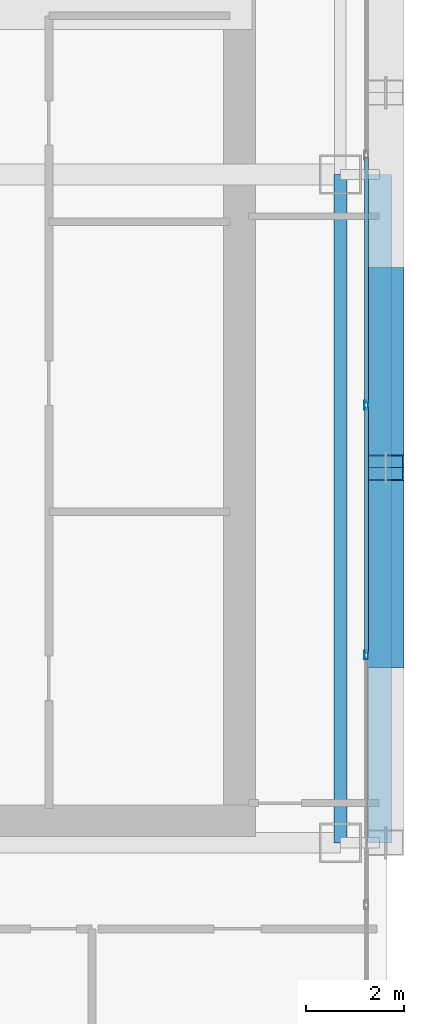
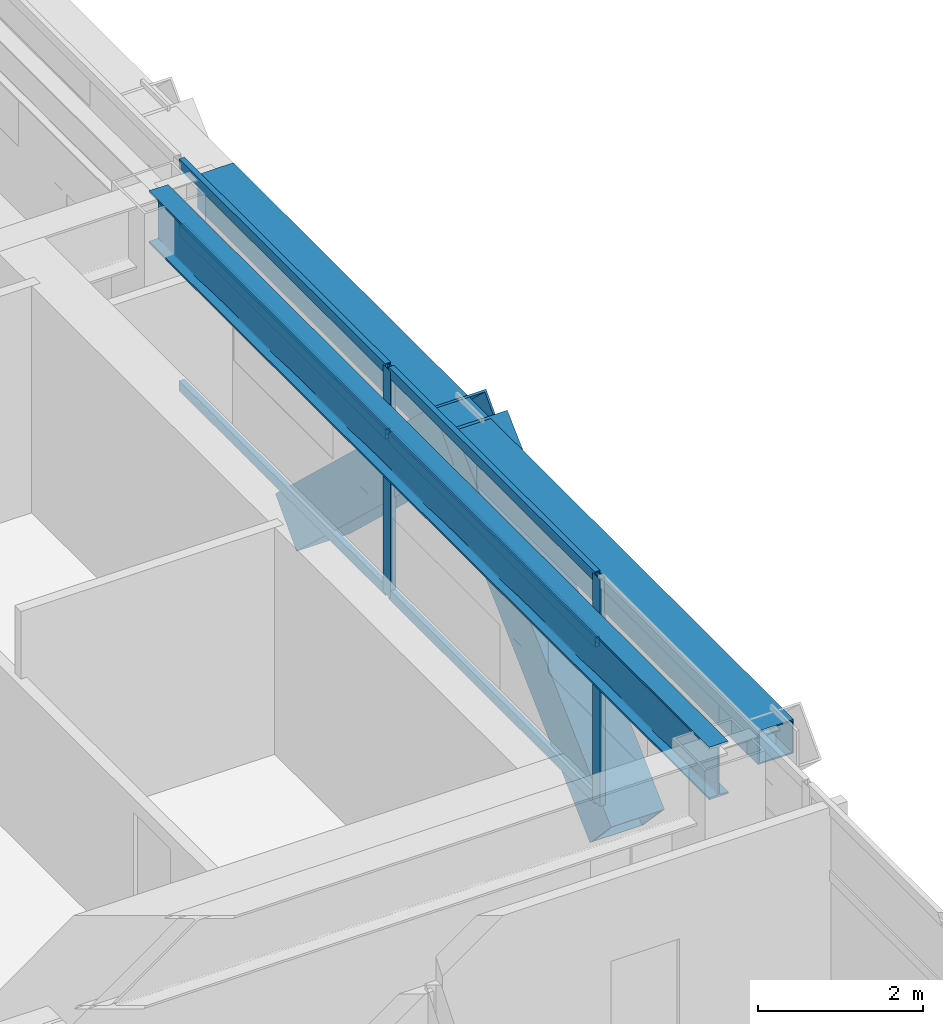
# One storey, part 13 of 36: 10 members, 2 beams, 1 element without a shape of its own.
"""IFC4 building model written with IfcOpenShell, lengths in metres."""

import ifcopenshell
import ifcopenshell.guid

model = None  # the IFC model being written
_history = None  # IfcOwnerHistory: only IFC2X3 demands one
_inside = {}  # id of a spatial element -> (the spatial element, [elements in it])
_under = {}  # id of a project, library or spatial element -> (it, [spatial elements below it])
_declared = {}  # id of a project -> (the project, [libraries it declares])
_typed = {}  # id of a type object -> (the type object, [elements of that type])
_made_of = {}  # id of a material, layer set ... -> (it, [elements and type objects made of it])


def new_model(schema):
    """Start an empty IFC model of exactly this schema.

    Asked for "IFC4X3", IfcOpenShell would pick the latest addendum, in which some entities
    have other attributes; the version numbers below select the first issue.
    IFC2X3 requires an IfcOwnerHistory on every rooted entity: one is made here for all.
    """
    global model, _history
    if schema == "IFC4X3":
        model = ifcopenshell.file(schema_version=(4, 3, 0, 0))
    else:
        model = ifcopenshell.file(schema=schema)
    _inside.clear()
    _under.clear()
    _declared.clear()
    _typed.clear()
    _made_of.clear()
    _history = None
    if model.schema == "IFC2X3":
        org = make("IfcOrganization", Name="unknown")
        user = make(
            "IfcPersonAndOrganization",
            ThePerson=make("IfcPerson", FamilyName="unknown"),
            TheOrganization=org,
        )
        app = make(
            "IfcApplication",
            ApplicationDeveloper=org,
            Version="unknown",
            ApplicationFullName="unknown",
            ApplicationIdentifier="unknown",
        )
        _history = make(
            "IfcOwnerHistory",
            OwningUser=user,
            OwningApplication=app,
            ChangeAction="ADDED",
            CreationDate=0,
        )
    return model


def make(cls, **values):
    """One entity of the class cls with the attributes given. An attribute that is None is left unset."""
    return model.create_entity(
        cls, **{name: value for name, value in values.items() if value is not None}
    )


def rooted(cls, **values):
    """An entity with a GlobalId (a new one), such as an element, a storey or a relation."""
    return make(cls, GlobalId=ifcopenshell.guid.new(), OwnerHistory=_history, **values)


def si_unit(unit_type, name, prefix=None):
    """IfcSIUnit, for example si_unit("LENGTHUNIT", "METRE", prefix="MILLI")."""
    return make("IfcSIUnit", UnitType=unit_type, Prefix=prefix, Name=name)


def assignment(units):
    """IfcUnitAssignment: the units of a project."""
    return None if units is None else make("IfcUnitAssignment", Units=units)


def point(xyz):
    """IfcCartesianPoint."""
    return None if xyz is None else make("IfcCartesianPoint", Coordinates=xyz)


def direction(xyz):
    """IfcDirection."""
    return None if xyz is None else make("IfcDirection", DirectionRatios=xyz)


def frame(location, z_axis=None, x_axis=None):
    """IfcAxis2Placement3D, a coordinate frame: its origin and axes. An axis left out is left unset."""
    return make(
        "IfcAxis2Placement3D",
        Location=point(location),
        Axis=direction(z_axis),
        RefDirection=direction(x_axis),
    )


def frame_2d(location, x_axis=None):
    """IfcAxis2Placement2D, a coordinate frame in the plane: its origin and x axis."""
    return make(
        "IfcAxis2Placement2D", Location=point(location), RefDirection=direction(x_axis)
    )


def origin():
    """The frame at (0, 0, 0) with its axes left unset."""
    return frame((0.0, 0.0, 0.0))


def origin_2d():
    """The frame at (0, 0) in the plane with its x axis left unset."""
    return frame_2d((0.0, 0.0))


def place(relative_to, where):
    """IfcLocalPlacement: puts the frame where relative to a parent placement (None: the world)."""
    return make(
        "IfcLocalPlacement", PlacementRelTo=relative_to, RelativePlacement=where
    )


def context(
    kind, dimensions, precision=None, world=None, true_north=None, identifier=None
):
    """IfcGeometricRepresentationContext, for example the 3D "Model" context."""
    return make(
        "IfcGeometricRepresentationContext",
        ContextIdentifier=identifier,
        ContextType=kind,
        CoordinateSpaceDimension=dimensions,
        Precision=precision,
        WorldCoordinateSystem=world,
        TrueNorth=true_north,
    )


def subcontext(parent, identifier, kind, view, scale=None):
    """IfcGeometricRepresentationSubContext, for example "Body" below "Model"."""
    return make(
        "IfcGeometricRepresentationSubContext",
        ContextIdentifier=identifier,
        ContextType=kind,
        ParentContext=parent,
        TargetScale=scale,
        TargetView=view,
    )


def project(units=None, contexts=None):
    """IfcProject with its units and contexts."""
    return rooted(
        "IfcProject",
        Name="project",
        RepresentationContexts=contexts,
        UnitsInContext=assignment(units),
    )


def spatial(cls, under=None, at=None, **own):
    """A site, building, storey or space (cls), placed at a placement, below another one or the project."""
    s = rooted(cls, ObjectPlacement=at, **own)
    if under is not None:
        _under.setdefault(under.id(), (under, []))[1].append(s)
    return s


def profile(cls, at=None, kind="AREA", **sizes):
    """A parametric profile (cls). Its sizes go by their IFC names, for example OverallWidth=200.0."""
    return make(cls, ProfileType=kind, Position=at, **sizes)


def hollow_rectangle(**sizes):
    """IfcRectangleHollowProfileDef."""
    return profile("IfcRectangleHollowProfileDef", **sizes)


def i_section(**sizes):
    """IfcIShapeProfileDef."""
    return profile("IfcIShapeProfileDef", **sizes)


def extrude(swept, where, along, depth):
    """IfcExtrudedAreaSolid: the profile swept, set in the frame where, extruded along a direction by depth."""
    return make(
        "IfcExtrudedAreaSolid",
        SweptArea=swept,
        Position=where,
        ExtrudedDirection=direction(along),
        Depth=depth,
    )


def shape(context_of_items, identifier, shape_type, items):
    """IfcShapeRepresentation: the items that make up one representation, for example the "Body"."""
    return make(
        "IfcShapeRepresentation",
        ContextOfItems=context_of_items,
        RepresentationIdentifier=identifier,
        RepresentationType=shape_type,
        Items=items,
    )


def source(mapping_origin, context_of_items, identifier, shape_type, items):
    """IfcRepresentationMap: a shape defined once, which mapped items show again and again."""
    return make(
        "IfcRepresentationMap",
        MappingOrigin=mapping_origin,
        MappedRepresentation=shape(context_of_items, identifier, shape_type, items),
    )


def transform(
    local_origin,
    x_axis=None,
    y_axis=None,
    z_axis=None,
    scale=None,
    scale2=None,
    scale3=None,
    uniform=True,
):
    """IfcCartesianTransformationOperator3D, or its non-uniform kind. x_axis, y_axis, z_axis: its Axis1, 2, 3."""
    if uniform:
        return make(
            "IfcCartesianTransformationOperator3D",
            Axis1=direction(x_axis),
            Axis2=direction(y_axis),
            LocalOrigin=point(local_origin),
            Scale=scale,
            Axis3=direction(z_axis),
        )
    return make(
        "IfcCartesianTransformationOperator3DnonUniform",
        Axis1=direction(x_axis),
        Axis2=direction(y_axis),
        LocalOrigin=point(local_origin),
        Scale=scale,
        Axis3=direction(z_axis),
        Scale2=scale2,
        Scale3=scale3,
    )


def mapped(mapping_source, mapping_target):
    """IfcMappedItem: shows the shape of a source again, moved by a transform."""
    return make(
        "IfcMappedItem", MappingSource=mapping_source, MappingTarget=mapping_target
    )


def material(Name=None, Category=None):
    """IfcMaterial."""
    return make("IfcMaterial", Name=Name, Category=Category)


def layer(
    of_material, thickness, ventilated=None, Name=None, Category=None, Priority=None
):
    """IfcMaterialLayer: one layer of a wall or slab, of a material (None: an air gap)."""
    return make(
        "IfcMaterialLayer",
        Material=of_material,
        LayerThickness=thickness,
        IsVentilated=ventilated,
        Name=Name,
        Category=Category,
        Priority=Priority,
    )


def layer_set(layers, Name=None):
    """IfcMaterialLayerSet."""
    return make("IfcMaterialLayerSet", MaterialLayers=layers, LayerSetName=Name)


def material_profile(
    of_material, cross_section, Name=None, Category=None, Priority=None
):
    """IfcMaterialProfile: a cross section and its material."""
    return make(
        "IfcMaterialProfile",
        Name=Name,
        Material=of_material,
        Profile=cross_section,
        Priority=Priority,
        Category=Category,
    )


def profile_set(profiles, Name=None, composite=None):
    """IfcMaterialProfileSet."""
    return make(
        "IfcMaterialProfileSet",
        Name=Name,
        MaterialProfiles=profiles,
        CompositeProfile=composite,
    )


def made_of(thing, what):
    """Note that an element or type object is made of a material, layer set ...; save() writes the relation."""
    if what is not None:
        _made_of.setdefault(what.id(), (what, []))[1].append(thing)
    return thing


def type_object(cls, material=None, **own):
    """A type object (cls), such as IfcWallType, which elements share."""
    return made_of(rooted(cls, **own), material)


def element(
    cls,
    number,
    at=None,
    inside=None,
    cuts=None,
    type_object=None,
    material=None,
    context=None,
    identifier="Body",
    shape_type=None,
    held_by="IfcProductDefinitionShape",
    body=None,
    shapes=None,
    **own,
):
    """One element of the class cls, such as IfcWall. Its Tag is "e" and its number.

    at: its placement. inside: the storey or other place that contains it. cuts: it is an
    opening in that element (IfcRelVoidsElement). A single representation is given by context,
    identifier, shape_type and body (its items); several are given by shapes. held_by: the class
    of the entity that holds the representations. save() writes the other relations.
    """
    e = rooted(cls, Tag="e%d" % number, ObjectPlacement=at, **own)
    if body is not None:
        shapes = [shape(context, identifier, shape_type, body)]
    if shapes is not None:
        e.Representation = make(held_by, Representations=shapes)
    if inside is not None:
        _inside.setdefault(inside.id(), (inside, []))[1].append(e)
    if cuts is not None:
        rooted(
            "IfcRelVoidsElement", RelatingBuildingElement=cuts, RelatedOpeningElement=e
        )
    if type_object is not None:
        _typed.setdefault(type_object.id(), (type_object, []))[1].append(e)
    return made_of(e, material)


def aggregate(whole, parts):
    """IfcRelAggregates: a whole, such as a stair, and the parts it consists of."""
    return rooted("IfcRelAggregates", RelatingObject=whole, RelatedObjects=parts)


def save(model, path):
    """Write the relations noted so far, then the file.

    IfcRelAggregates (storeys below a building ...), IfcRelContainedInSpatialStructure (elements
    in a storey), IfcRelDefinesByType, IfcRelAssociatesMaterial and IfcRelDeclares: one each for
    every whole, place, type object, material and project.
    """
    for whole, parts in _under.values():
        aggregate(whole, parts)
    for where, things in _inside.values():
        rooted(
            "IfcRelContainedInSpatialStructure",
            RelatedElements=things,
            RelatingStructure=where,
        )
    for kind, things in _typed.values():
        rooted("IfcRelDefinesByType", RelatedObjects=things, RelatingType=kind)
    for what, things in _made_of.values():
        rooted("IfcRelAssociatesMaterial", RelatedObjects=things, RelatingMaterial=what)
    for by, libraries in _declared.values():
        rooted("IfcRelDeclares", RelatingContext=by, RelatedDefinitions=libraries)
    model.write(path)


model = new_model("IFC4")

# Units and contexts
model_context = context("Model", 3, precision=1e-05, world=origin(), true_north=direction((0.0, 1.0)))
body_context = subcontext(model_context, "Body", "Model", "MODEL_VIEW")
ifc_project = project(units=[si_unit("LENGTHUNIT", "METRE"), si_unit("AREAUNIT", "SQUARE_METRE"), si_unit("VOLUMEUNIT", "CUBIC_METRE"), si_unit("PLANEANGLEUNIT", "RADIAN"), si_unit("MASSUNIT", "GRAM", prefix="KILO")], contexts=[model_context])

# Site, building, storey
site_placement = place(None, origin())
site = spatial("IfcSite", under=ifc_project, at=site_placement, CompositionType="ELEMENT")
building_placement = place(site_placement, origin())
building = spatial("IfcBuilding", under=site, at=building_placement, Name="Ocotamira Hotel", CompositionType="ELEMENT")
storey_placement = place(building_placement, frame((0.0, 0.0, 136.800048828125)))
storey = spatial("IfcBuildingStorey", under=building, at=storey_placement, Name="L34", CompositionType="ELEMENT", Elevation=136.800048828125)

# Beams
ifc_material_1 = material(Name="Steel ASTM A992 Grade 50", Category="steel")
ifc_material_profile_1 = material_profile(ifc_material_1, i_section(OverallWidth=0.26611328125, OverallDepth=0.779052734375, WebThickness=0.0166015625, FlangeThickness=0.030029296875, FilletRadius=0.01806640625, at=origin_2d()), Name="W30X148")
ifc_profile_set_1 = profile_set([ifc_material_profile_1], Name="Steel ASTM A992 Grade 50")
beam_type_1 = type_object("IfcBeamType", Name="BM-GIRD-W30X148", PredefinedType="BEAM", material=ifc_profile_set_1)
shared_shape_1 = source(origin(), body_context, "Body", "SweptSolid", [
    extrude(i_section(OverallWidth=0.26611328125, OverallDepth=0.779052734375, WebThickness=0.0166015625, FlangeThickness=0.030029296875, FilletRadius=0.01806640625, at=origin_2d()), origin(), (0.0, 0.0, 1.0), 13.599853515625),
])
beam_1_placement = place(storey_placement, frame((55.050048828125, 14.550048828125, 2.970458984375), z_axis=(0.0, 1.0, 0.0), x_axis=(-1.0, 0.0, 0.0)))
element("IfcBeam", 1, at=beam_1_placement, inside=storey, type_object=beam_type_1, Name="L34 Beam X55.05 Y14.55-28.15", PredefinedType="BEAM", context=body_context, shape_type="MappedRepresentation", body=[
    mapped(shared_shape_1, transform((0.0, 0.0, 0.0), scale=1.0)),
])
ifc_material_2 = material(Name="Steel ASTM A500 Grade C", Category="steel")
ifc_material_profile_2 = material_profile(ifc_material_2, hollow_rectangle(XDim=0.5, YDim=0.5, WallThickness=0.02001953125, at=origin_2d()), Name="HSS500X500X20")
ifc_profile_set_2 = profile_set([ifc_material_profile_2], Name="Steel ASTM A500 Grade C")
beam_type_2 = type_object("IfcBeamType", Name="BM-SPAN-HSS500", PredefinedType="USERDEFINED", material=ifc_profile_set_2)
shared_shape_2 = source(origin(), body_context, "Body", "SweptSolid", [
    extrude(hollow_rectangle(XDim=0.5, YDim=0.5, WallThickness=0.02001953125, at=origin_2d()), origin(), (0.0, 0.0, 1.0), 13.599853515625),
])
beam_2_placement = place(storey_placement, frame((55.85009765625, 14.550048828125, 3.10986328125), z_axis=(0.0, 1.0, 0.0), x_axis=(-1.0, 0.0, 0.0)))
element("IfcBeam", 2, at=beam_2_placement, inside=storey, type_object=beam_type_2, Name="L34 Edge Spandrel E Y14.55-28.15", ObjectType="SPANDREL", PredefinedType="USERDEFINED", context=body_context, shape_type="MappedRepresentation", body=[
    mapped(shared_shape_2, transform((0.0, 0.0, 0.0), scale=1.0)),
])

# Members
ifc_material_3 = material(Name="Pale-metal coated steel ASTM A913 Grade 65", Category="steel")
ifc_material_profile_3 = material_profile(ifc_material_3, hollow_rectangle(XDim=0.75, YDim=0.75, WallThickness=0.028076171875, at=origin_2d()), Name="BOX750X750X28")
ifc_profile_set_3 = profile_set([ifc_material_profile_3], Name="Pale-metal coated steel ASTM A913 Grade 65")
member_type_1 = type_object("IfcMemberType", Name="MEM-EXO-BOX750", PredefinedType="BRACE", material=ifc_profile_set_3)
shared_shape_3 = source(origin(), body_context, "Body", "SweptSolid", [
    extrude(hollow_rectangle(XDim=0.75, YDim=0.75, WallThickness=0.028076171875, at=origin_2d()), origin(), (0.0, 0.0, 1.0), 5.24658203125),
])
for number, where, z_axis, x_axis, name in (
    (3, (55.969970703125, 18.36669921875, -0.489990234375), (0.0, 0.72746596067, 0.686143772154), (-1.0, 0.0, 0.0), "L34 Exoskeleton Diagrid E0.2"),
    (4, (55.969970703125, 26.0, -0.489990234375), (0.0, -0.72746596067, 0.686143772154), (1.0, 0.0, 0.0), "L34 Exoskeleton Diagrid E1.1"),
):
    element("IfcMember", number, at=place(storey_placement, frame(where, z_axis=z_axis, x_axis=x_axis)), inside=storey, type_object=member_type_1, Name=name, PredefinedType="BRACE", context=body_context, shape_type="MappedRepresentation", body=[
        mapped(shared_shape_3, transform((0.0, 0.0, 0.0), scale=1.0)),
    ])

# Curtain wall, members
ifc_material_4 = material(Name="Anodised pale-metal aluminium and solar glass", Category="aluminium")
ifc_layer = layer(ifc_material_4, 0.179931640625)
ifc_layer_set = layer_set([ifc_layer], Name="Anodised pale-metal aluminium and solar glass")
curtain_wall_type = type_object("IfcCurtainWallType", Name="CW-SYS3-Z2", PredefinedType="NOTDEFINED", material=ifc_layer_set)
curtain_wall_placement = place(storey_placement, origin())
curtain_wall = element("IfcCurtainWall", 5, at=curtain_wall_placement, inside=storey, type_object=curtain_wall_type, Name="L34 Curtain Wall CW-3 CW-L34-E", PredefinedType="NOTDEFINED")
ifc_material_5 = material(Name="Anodised pale-metal aluminium 6063-T6", Category="aluminium")
ifc_material_profile_4 = material_profile(ifc_material_5, hollow_rectangle(XDim=0.074951171875, YDim=0.14990234375, WallThickness=0.006103515625, at=origin_2d()), Name="HSS150X75X6")
ifc_profile_set_4 = profile_set([ifc_material_profile_4], Name="Anodised pale-metal aluminium 6063-T6")
member_type_2 = type_object("IfcMemberType", Name="CWT-150X75", PredefinedType="USERDEFINED", material=ifc_profile_set_4)
shared_shape_4 = source(origin(), body_context, "Body", "SweptSolid", [
    extrude(hollow_rectangle(XDim=0.074951171875, YDim=0.14990234375, WallThickness=0.006103515625, at=origin_2d()), origin(), (0.0, 0.0, 1.0), 5.005859375),
])
member_1_placement = place(storey_placement, frame((55.580078125, 18.411376953125, 0.037353515625), z_axis=(0.0, 1.0, 0.0), x_axis=(-1.0, 0.0, 0.0)))
member_1 = element("IfcMember", 6, at=member_1_placement, type_object=member_type_2, Name="CW-3 transom 3.1", ObjectType="TRANSOM", PredefinedType="USERDEFINED", context=body_context, shape_type="MappedRepresentation", body=[
    mapped(shared_shape_4, transform((0.0, 0.0, 0.0), scale=1.0)),
])
member_2_placement = place(storey_placement, frame((55.580078125, 18.411376953125, 2.349853515625), z_axis=(0.0, 1.0, 0.0), x_axis=(-1.0, 0.0, 0.0)))
member_2 = element("IfcMember", 7, at=member_2_placement, type_object=member_type_2, Name="CW-3 transom 3.2", ObjectType="TRANSOM", PredefinedType="USERDEFINED", context=body_context, shape_type="MappedRepresentation", body=[
    mapped(shared_shape_4, transform((0.0, 0.0, 0.0), scale=1.0)),
])
member_3_placement = place(storey_placement, frame((55.580078125, 18.411376953125, 3.322509765625), z_axis=(0.0, 1.0, 0.0), x_axis=(-1.0, 0.0, 0.0)))
member_3 = element("IfcMember", 8, at=member_3_placement, type_object=member_type_2, Name="CW-3 transom 3.3", ObjectType="TRANSOM", PredefinedType="USERDEFINED", context=body_context, shape_type="MappedRepresentation", body=[
    mapped(shared_shape_4, transform((0.0, 0.0, 0.0), scale=1.0)),
])
member_4_placement = place(storey_placement, frame((55.580078125, 23.4970703125, 0.037353515625), z_axis=(0.0, 1.0, 0.0), x_axis=(-1.0, 0.0, 0.0)))
member_4 = element("IfcMember", 9, at=member_4_placement, type_object=member_type_2, Name="CW-3 transom 4.1", ObjectType="TRANSOM", PredefinedType="USERDEFINED", context=body_context, shape_type="MappedRepresentation", body=[
    mapped(shared_shape_4, transform((0.0, 0.0, 0.0), scale=1.0)),
])
member_5_placement = place(storey_placement, frame((55.580078125, 23.4970703125, 2.349853515625), z_axis=(0.0, 1.0, 0.0), x_axis=(-1.0, 0.0, 0.0)))
member_5 = element("IfcMember", 10, at=member_5_placement, type_object=member_type_2, Name="CW-3 transom 4.2", ObjectType="TRANSOM", PredefinedType="USERDEFINED", context=body_context, shape_type="MappedRepresentation", body=[
    mapped(shared_shape_4, transform((0.0, 0.0, 0.0), scale=1.0)),
])
member_6_placement = place(storey_placement, frame((55.580078125, 23.4970703125, 3.322509765625), z_axis=(0.0, 1.0, 0.0), x_axis=(-1.0, 0.0, 0.0)))
member_6 = element("IfcMember", 11, at=member_6_placement, type_object=member_type_2, Name="CW-3 transom 4.3", ObjectType="TRANSOM", PredefinedType="USERDEFINED", context=body_context, shape_type="MappedRepresentation", body=[
    mapped(shared_shape_4, transform((0.0, 0.0, 0.0), scale=1.0)),
])
ifc_material_profile_5 = material_profile(ifc_material_5, hollow_rectangle(XDim=0.080078125, YDim=0.179931640625, WallThickness=0.006103515625, at=origin_2d()), Name="HSS180X80X6")
ifc_profile_set_5 = profile_set([ifc_material_profile_5], Name="Anodised pale-metal aluminium 6063-T6")
member_type_3 = type_object("IfcMemberType", Name="CWM-180X75", PredefinedType="MULLION", material=ifc_profile_set_5)
shared_shape_5 = source(origin(), body_context, "Body", "SweptSolid", [
    extrude(hollow_rectangle(XDim=0.080078125, YDim=0.179931640625, WallThickness=0.006103515625, at=origin_2d()), origin(), (0.0, 0.0, 1.0), 3.35986328125),
])
member_7_placement = place(storey_placement, frame((55.580078125, 18.371337890625, 0.0), z_axis=(0.0, 0.0, 1.0), x_axis=(-1.0, 0.0, 0.0)))
member_7 = element("IfcMember", 12, at=member_7_placement, type_object=member_type_3, Name="CW-3 mullion 3", PredefinedType="MULLION", context=body_context, shape_type="MappedRepresentation", body=[
    mapped(shared_shape_5, transform((0.0, 0.0, 0.0), scale=1.0)),
])
member_8_placement = place(storey_placement, frame((55.580078125, 23.45703125, 0.0), z_axis=(0.0, 0.0, 1.0), x_axis=(-1.0, 0.0, 0.0)))
member_8 = element("IfcMember", 13, at=member_8_placement, type_object=member_type_3, Name="CW-3 mullion 4", PredefinedType="MULLION", context=body_context, shape_type="MappedRepresentation", body=[
    mapped(shared_shape_5, transform((0.0, 0.0, 0.0), scale=1.0)),
])
aggregate(curtain_wall, [member_7, member_8, member_1, member_2, member_3, member_4, member_5, member_6])

save(model, "model.ifc")
